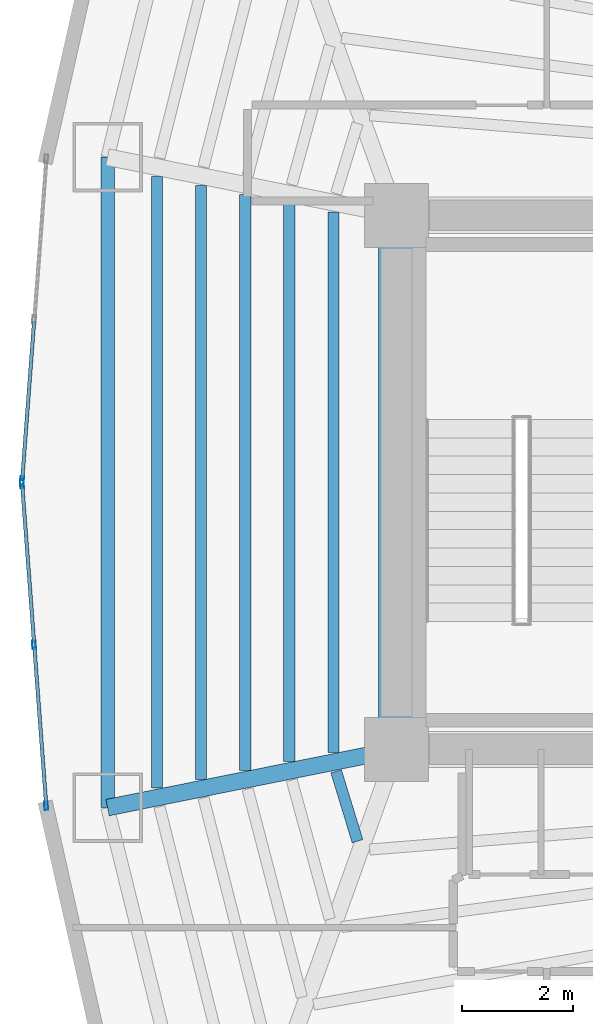
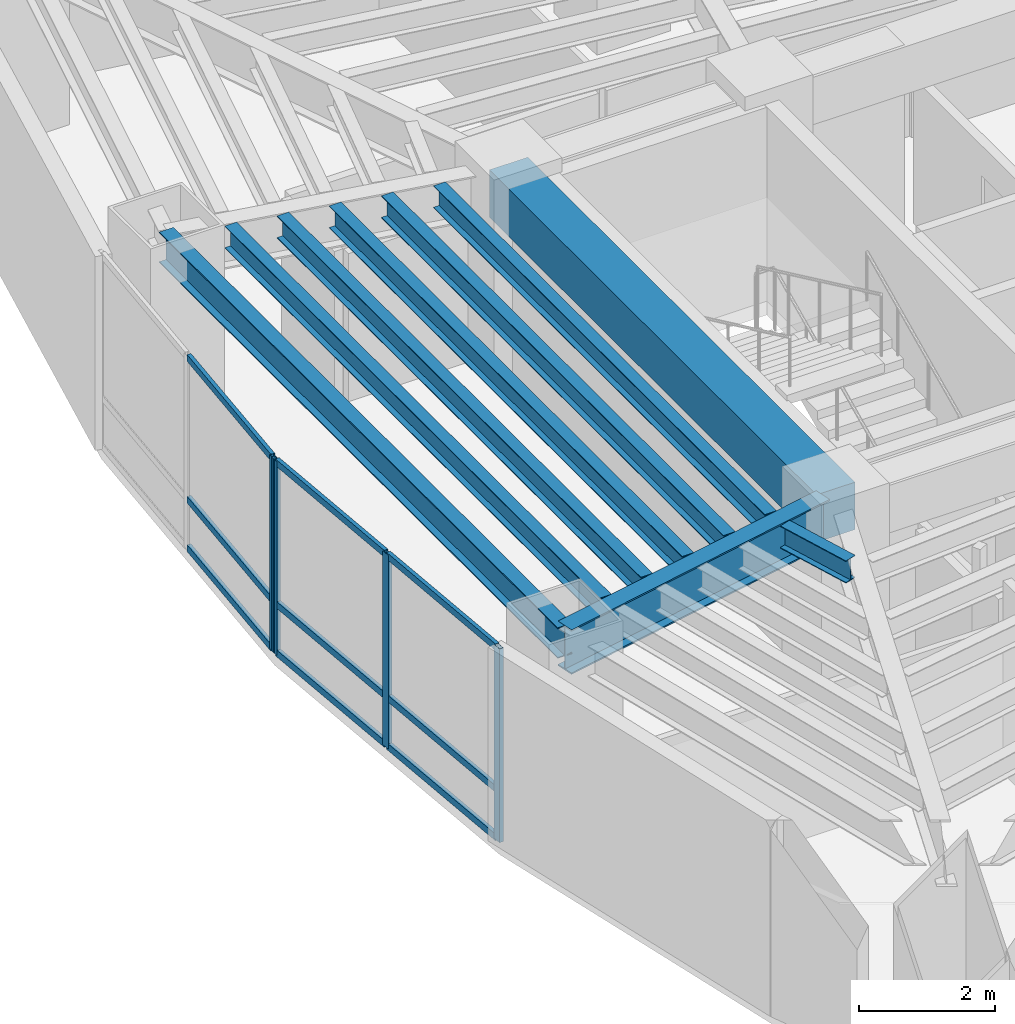
# One storey, part 3 of 18: 13 members, 9 beams, 2 elements without a shape of their own.
"""IFC4 building model written with IfcOpenShell, lengths in metres."""

from ifc_helpers import new_model, si_unit, direction, frame, origin, origin_2d, place, context, subcontext, project, spatial, rectangle, hollow_rectangle, i_section, extrude, material, layer, layer_set, material_profile, profile_set, type_object, element, aggregate, save


model = new_model("IFC4")

# Units and contexts
model_context = context("Model", 3, precision=1e-05, world=origin(), true_north=direction((0.0, 1.0)))
body_context = subcontext(model_context, "Body", "Model", "MODEL_VIEW")
ifc_project = project(units=[si_unit("LENGTHUNIT", "METRE"), si_unit("AREAUNIT", "SQUARE_METRE"), si_unit("VOLUMEUNIT", "CUBIC_METRE"), si_unit("PLANEANGLEUNIT", "RADIAN"), si_unit("MASSUNIT", "GRAM", prefix="KILO")], contexts=[model_context])

# Site, building, storey
site_placement = place(None, origin())
site = spatial("IfcSite", under=ifc_project, at=site_placement, CompositionType="ELEMENT")
building_placement = place(site_placement, origin())
building = spatial("IfcBuilding", under=site, at=building_placement, Name="Menara Vayukalpa", CompositionType="ELEMENT")
storey_placement = place(building_placement, frame((0.0, 0.0, 130.02001953125)))
storey = spatial("IfcBuildingStorey", under=building, at=storey_placement, Name="L32", CompositionType="ELEMENT", Elevation=130.02001953125)

# Beams
ifc_material_1 = material(Name="Concrete C60/75", Category="concrete")
ifc_material_profile_1 = material_profile(ifc_material_1, rectangle(XDim=0.64990234375, YDim=0.85009765625, at=origin_2d()), Name="RC 650x850")
ifc_profile_set_1 = profile_set([ifc_material_profile_1], Name="Concrete C60/75")
beam_type_1 = type_object("IfcBeamType", Name="BM-CB1", PredefinedType="BEAM", material=ifc_profile_set_1)
beam_1_placement = place(storey_placement, frame((17.800048828125, 17.199951171875, 3.044921875), z_axis=(0.0, 1.0, 0.0), x_axis=(-1.0, 0.0, 0.0)))
element("IfcBeam", 1, at=beam_1_placement, inside=storey, type_object=beam_type_1, Name="L32 Core Tie Beam CBR7", PredefinedType="BEAM", context=body_context, shape_type="SweptSolid", body=[
    extrude(rectangle(XDim=0.64990234375, YDim=0.85009765625, at=origin_2d()), origin(), (0.0, 0.0, 1.0), 9.60009765625),
])
ifc_material_2 = material(Name="Steel S355", Category="steel")
ifc_material_profile_2 = material_profile(ifc_material_2, i_section(OverallWidth=0.300048828125, OverallDepth=0.800048828125, WebThickness=0.013916015625, FlangeThickness=0.02587890625, at=origin_2d()), Name="WF 800x300x14x26")
ifc_profile_set_2 = profile_set([ifc_material_profile_2], Name="Steel S355")
beam_type_2 = type_object("IfcBeamType", Name="BM-PG3", PredefinedType="BEAM", material=ifc_profile_set_2)
beam_2_placement = place(storey_placement, frame((17.554931640625, 17.150634765625, 3.070068359375), z_axis=(-0.980324984906, -0.197390283373, 0.0), x_axis=(0.197390283373, -0.980324984906, 0.0)))
element("IfcBeam", 2, at=beam_2_placement, inside=storey, type_object=beam_type_2, Name="L32 Primary Radial Girder RG06", PredefinedType="BEAM", context=body_context, shape_type="SweptSolid", body=[
    extrude(i_section(OverallWidth=0.300048828125, OverallDepth=0.800048828125, WebThickness=0.013916015625, FlangeThickness=0.02587890625, at=origin_2d()), origin(), (0.0, 0.0, 1.0), 5.047607421875),
])
ifc_material_3 = material(Name="Steel S355", Category="steel")
ifc_material_profile_3 = material_profile(ifc_material_3, i_section(OverallWidth=0.199951171875, OverallDepth=0.39990234375, WebThickness=0.008056640625, FlangeThickness=0.012939453125, at=origin_2d()), Name="WF 400x200x8x13")
ifc_profile_set_3 = profile_set([ifc_material_profile_3], Name="Steel S355")
beam_type_3 = type_object("IfcBeamType", Name="BM-SJ2", PredefinedType="JOIST", material=ifc_profile_set_3)
beam_3_placement = place(storey_placement, frame((16.664306640625, 26.858642578125, 3.27001953125), z_axis=(0.0, -1.0, 0.0), x_axis=(1.0, 0.0, 0.0)))
element("IfcBeam", 3, at=beam_3_placement, inside=storey, type_object=beam_type_3, Name="L32 Secondary Floor Joist SJ05-1", PredefinedType="JOIST", context=body_context, shape_type="SweptSolid", body=[
    extrude(i_section(OverallWidth=0.199951171875, OverallDepth=0.39990234375, WebThickness=0.008056640625, FlangeThickness=0.012939453125, at=origin_2d()), origin(), (0.0, 0.0, 1.0), 9.71728515625),
])
beam_4_placement = place(storey_placement, frame((15.87255859375, 27.01806640625, 3.27001953125), z_axis=(0.0, -1.0, 0.0), x_axis=(1.0, 0.0, 0.0)))
element("IfcBeam", 4, at=beam_4_placement, inside=storey, type_object=beam_type_3, Name="L32 Secondary Floor Joist SJ05-2", PredefinedType="JOIST", context=body_context, shape_type="SweptSolid", body=[
    extrude(i_section(OverallWidth=0.199951171875, OverallDepth=0.39990234375, WebThickness=0.008056640625, FlangeThickness=0.012939453125, at=origin_2d()), origin(), (0.0, 0.0, 1.0), 10.0361328125),
])
beam_5_placement = place(storey_placement, frame((15.080810546875, 27.177490234375, 3.27001953125), z_axis=(0.0, -1.0, 0.0), x_axis=(1.0, 0.0, 0.0)))
element("IfcBeam", 5, at=beam_5_placement, inside=storey, type_object=beam_type_3, Name="L32 Secondary Floor Joist SJ05-3", PredefinedType="JOIST", context=body_context, shape_type="SweptSolid", body=[
    extrude(i_section(OverallWidth=0.199951171875, OverallDepth=0.39990234375, WebThickness=0.008056640625, FlangeThickness=0.012939453125, at=origin_2d()), origin(), (0.0, 0.0, 1.0), 10.35498046875),
])
beam_6_placement = place(storey_placement, frame((14.2890625, 27.3369140625, 3.27001953125), z_axis=(0.0, -1.0, 0.0), x_axis=(1.0, 0.0, 0.0)))
element("IfcBeam", 6, at=beam_6_placement, inside=storey, type_object=beam_type_3, Name="L32 Secondary Floor Joist SJ05-4", PredefinedType="JOIST", context=body_context, shape_type="SweptSolid", body=[
    extrude(i_section(OverallWidth=0.199951171875, OverallDepth=0.39990234375, WebThickness=0.008056640625, FlangeThickness=0.012939453125, at=origin_2d()), origin(), (0.0, 0.0, 1.0), 10.673828125),
])
beam_7_placement = place(storey_placement, frame((13.497314453125, 27.496337890625, 3.27001953125), z_axis=(0.0, -1.0, 0.0), x_axis=(1.0, 0.0, 0.0)))
element("IfcBeam", 7, at=beam_7_placement, inside=storey, type_object=beam_type_3, Name="L32 Secondary Floor Joist SJ05-5", PredefinedType="JOIST", context=body_context, shape_type="SweptSolid", body=[
    extrude(i_section(OverallWidth=0.199951171875, OverallDepth=0.39990234375, WebThickness=0.008056640625, FlangeThickness=0.012939453125, at=origin_2d()), origin(), (0.0, 0.0, 1.0), 10.99267578125),
])
beam_8_placement = place(storey_placement, frame((16.714111328125, 16.808837890625, 3.27001953125), z_axis=(0.292651981473, -0.956219021846, 0.0), x_axis=(0.956219021846, 0.292651981473, 0.0)))
element("IfcBeam", 8, at=beam_8_placement, inside=storey, type_object=beam_type_3, Name="L32 Secondary Floor Joist SJ06-1", PredefinedType="JOIST", context=body_context, shape_type="SweptSolid", body=[
    extrude(i_section(OverallWidth=0.199951171875, OverallDepth=0.39990234375, WebThickness=0.008056640625, FlangeThickness=0.012939453125, at=origin_2d()), origin(), (0.0, 0.0, 1.0), 1.31640625),
])
ifc_material_4 = material(Name="Steel S355", Category="steel")
ifc_material_profile_4 = material_profile(ifc_material_4, i_section(OverallWidth=0.239990234375, OverallDepth=0.550048828125, WebThickness=0.010986328125, FlangeThickness=0.01904296875, at=origin_2d()), Name="WF 550x240x11x19")
ifc_profile_set_4 = profile_set([ifc_material_profile_4], Name="Steel S355")
beam_type_4 = type_object("IfcBeamType", Name="BM-SP2", PredefinedType="SPANDREL", material=ifc_profile_set_4)
beam_9_placement = place(storey_placement, frame((12.606689453125, 27.845703125, 3.195068359375), z_axis=(0.0, -1.0, 0.0), x_axis=(1.0, 0.0, 0.0)))
element("IfcBeam", 9, at=beam_9_placement, inside=storey, type_object=beam_type_4, Name="L32 Perimeter Spandrel Beam SP05", PredefinedType="SPANDREL", context=body_context, shape_type="SweptSolid", body=[
    extrude(i_section(OverallWidth=0.239990234375, OverallDepth=0.550048828125, WebThickness=0.010986328125, FlangeThickness=0.01904296875, at=origin_2d()), origin(), (0.0, 0.0, 1.0), 11.69140625),
])

# Curtain wall, member
ifc_material_5 = material(Name="Anodised Terracotta Aluminium Alloy 6063-T6", Category="masonry")
ifc_layer = layer(ifc_material_5, 0.14990234375)
ifc_layer_set = layer_set([ifc_layer], Name="Anodised Terracotta Aluminium Alloy 6063-T6")
curtain_wall_type = type_object("IfcCurtainWallType", Name="CW-CW3", PredefinedType="USERDEFINED", material=ifc_layer_set)
curtain_wall_1_placement = place(storey_placement, origin())
curtain_wall_1 = element("IfcCurtainWall", 10, at=curtain_wall_1_placement, inside=storey, type_object=curtain_wall_type, Name="L32 Mid Rise Terracotta Ribbon Curtain Wall CW3 10", ObjectType="UNITISED", PredefinedType="USERDEFINED")
ifc_material_6 = material(Name="Anodised Terracotta Aluminium Alloy 6063-T6", Category="masonry")
ifc_material_profile_5 = material_profile(ifc_material_6, hollow_rectangle(XDim=0.06494140625, YDim=0.14990234375, WallThickness=0.00341796875, at=origin_2d()), Name="ALU 65x150x3.5")
ifc_profile_set_5 = profile_set([ifc_material_profile_5], Name="Anodised Terracotta Aluminium Alloy 6063-T6")
member_type_1 = type_object("IfcMemberType", Name="CWM-CW3", PredefinedType="MULLION", material=ifc_profile_set_5)
member_1_placement = place(storey_placement, frame((11.070556640625, 22.032470703125, 0.0), z_axis=(0.0, 0.0, 1.0), x_axis=(0.997199659745, -0.07478528334, 0.0)))
member_1 = element("IfcMember", 11, at=member_1_placement, type_object=member_type_1, Name="CW3 mullion 3", PredefinedType="MULLION", context=body_context, shape_type="SweptSolid", body=[
    extrude(hollow_rectangle(XDim=0.06494140625, YDim=0.14990234375, WallThickness=0.00341796875, at=origin_2d()), origin(), (0.0, 0.0, 1.0), 3.469970703125),
])

# Curtain wall, members
curtain_wall_2_placement = place(storey_placement, origin())
curtain_wall_2 = element("IfcCurtainWall", 12, at=curtain_wall_2_placement, inside=storey, type_object=curtain_wall_type, Name="L32 Mid Rise Terracotta Ribbon Curtain Wall CW3 11", ObjectType="UNITISED", PredefinedType="USERDEFINED")
member_2_placement = place(storey_placement, frame((11.070556640625, 21.967529296875, 0.0), z_axis=(0.0, 0.0, 1.0), x_axis=(0.997199659745, 0.07478528334, 0.0)))
member_2 = element("IfcMember", 13, at=member_2_placement, type_object=member_type_1, Name="CW3 mullion 1", PredefinedType="MULLION", context=body_context, shape_type="SweptSolid", body=[
    extrude(hollow_rectangle(XDim=0.06494140625, YDim=0.14990234375, WallThickness=0.00341796875, at=origin_2d()), origin(), (0.0, 0.0, 1.0), 3.469970703125),
])
member_3_placement = place(storey_placement, frame((11.287353515625, 19.0771484375, 0.0), z_axis=(0.0, 0.0, 1.0), x_axis=(0.997199659745, 0.07478528334, 0.0)))
member_3 = element("IfcMember", 14, at=member_3_placement, type_object=member_type_1, Name="CW3 mullion 2", PredefinedType="MULLION", context=body_context, shape_type="SweptSolid", body=[
    extrude(hollow_rectangle(XDim=0.06494140625, YDim=0.14990234375, WallThickness=0.00341796875, at=origin_2d()), origin(), (0.0, 0.0, 1.0), 3.469970703125),
])
member_4_placement = place(storey_placement, frame((11.504150390625, 16.186767578125, 0.0), z_axis=(0.0, 0.0, 1.0), x_axis=(0.997199659745, 0.07478528334, 0.0)))
member_4 = element("IfcMember", 15, at=member_4_placement, type_object=member_type_1, Name="CW3 mullion 3", PredefinedType="MULLION", context=body_context, shape_type="SweptSolid", body=[
    extrude(hollow_rectangle(XDim=0.06494140625, YDim=0.14990234375, WallThickness=0.00341796875, at=origin_2d()), origin(), (0.0, 0.0, 1.0), 3.469970703125),
])

# Member
ifc_material_7 = material(Name="Anodised Terracotta Aluminium Alloy 6063-T6", Category="masonry")
ifc_material_profile_6 = material_profile(ifc_material_7, hollow_rectangle(XDim=0.06494140625, YDim=0.1201171875, WallThickness=0.00341796875, at=origin_2d()), Name="ALU 65x120x3.5")
ifc_profile_set_6 = profile_set([ifc_material_profile_6], Name="Anodised Terracotta Aluminium Alloy 6063-T6")
member_type_2 = type_object("IfcMemberType", Name="CWT-CW3", PredefinedType="USERDEFINED", material=ifc_profile_set_6)
member_5_placement = place(storey_placement, frame((11.284912109375, 24.890380859375, 0.032470703125), z_axis=(-0.074785664408, -0.997199631167, 0.0), x_axis=(0.997199631167, -0.074785664408, 0.0)))
member_5 = element("IfcMember", 16, at=member_5_placement, type_object=member_type_2, Name="CW3 transom 2.1", ObjectType="TRANSOM", PredefinedType="USERDEFINED", context=body_context, shape_type="SweptSolid", body=[
    extrude(hollow_rectangle(XDim=0.06494140625, YDim=0.1201171875, WallThickness=0.00341796875, at=origin_2d()), origin(), (0.0, 0.0, 1.0), 2.833740234375),
])

member_6_placement = place(storey_placement, frame((11.284912109375, 24.890380859375, 0.89990234375), z_axis=(-0.074785664408, -0.997199631167, 0.0), x_axis=(0.997199631167, -0.074785664408, 0.0)))
member_6 = element("IfcMember", 17, at=member_6_placement, type_object=member_type_2, Name="CW3 transom 2.2", ObjectType="TRANSOM", PredefinedType="USERDEFINED", context=body_context, shape_type="SweptSolid", body=[
    extrude(hollow_rectangle(XDim=0.06494140625, YDim=0.1201171875, WallThickness=0.00341796875, at=origin_2d()), origin(), (0.0, 0.0, 1.0), 2.833740234375),
])

member_7_placement = place(storey_placement, frame((11.284912109375, 24.890380859375, 3.4375), z_axis=(-0.074785664408, -0.997199631167, 0.0), x_axis=(0.997199631167, -0.074785664408, 0.0)))
member_7 = element("IfcMember", 18, at=member_7_placement, type_object=member_type_2, Name="CW3 transom 2.3", ObjectType="TRANSOM", PredefinedType="USERDEFINED", context=body_context, shape_type="SweptSolid", body=[
    extrude(hollow_rectangle(XDim=0.06494140625, YDim=0.1201171875, WallThickness=0.00341796875, at=origin_2d()), origin(), (0.0, 0.0, 1.0), 2.833740234375),
])

aggregate(curtain_wall_1, [member_1, member_5, member_6, member_7])

member_8_placement = place(storey_placement, frame((11.072998046875, 21.935302734375, 0.032470703125), z_axis=(0.074785664408, -0.997199631167, 0.0), x_axis=(0.997199631167, 0.074785664408, 0.0)))
member_8 = element("IfcMember", 19, at=member_8_placement, type_object=member_type_2, Name="CW3 transom 1.1", ObjectType="TRANSOM", PredefinedType="USERDEFINED", context=body_context, shape_type="SweptSolid", body=[
    extrude(hollow_rectangle(XDim=0.06494140625, YDim=0.1201171875, WallThickness=0.00341796875, at=origin_2d()), origin(), (0.0, 0.0, 1.0), 2.833740234375),
])

member_9_placement = place(storey_placement, frame((11.072998046875, 21.935302734375, 0.89990234375), z_axis=(0.074785664408, -0.997199631167, 0.0), x_axis=(0.997199631167, 0.074785664408, 0.0)))
member_9 = element("IfcMember", 20, at=member_9_placement, type_object=member_type_2, Name="CW3 transom 1.2", ObjectType="TRANSOM", PredefinedType="USERDEFINED", context=body_context, shape_type="SweptSolid", body=[
    extrude(hollow_rectangle(XDim=0.06494140625, YDim=0.1201171875, WallThickness=0.00341796875, at=origin_2d()), origin(), (0.0, 0.0, 1.0), 2.833740234375),
])

member_10_placement = place(storey_placement, frame((11.072998046875, 21.935302734375, 3.4375), z_axis=(0.074785664408, -0.997199631167, 0.0), x_axis=(0.997199631167, 0.074785664408, 0.0)))
member_10 = element("IfcMember", 21, at=member_10_placement, type_object=member_type_2, Name="CW3 transom 1.3", ObjectType="TRANSOM", PredefinedType="USERDEFINED", context=body_context, shape_type="SweptSolid", body=[
    extrude(hollow_rectangle(XDim=0.06494140625, YDim=0.1201171875, WallThickness=0.00341796875, at=origin_2d()), origin(), (0.0, 0.0, 1.0), 2.833740234375),
])

member_11_placement = place(storey_placement, frame((11.289794921875, 19.044677734375, 0.032470703125), z_axis=(0.074792090342, -0.997199149229, 0.0), x_axis=(0.997199149229, 0.074792090342, 0.0)))
member_11 = element("IfcMember", 22, at=member_11_placement, type_object=member_type_2, Name="CW3 transom 2.1", ObjectType="TRANSOM", PredefinedType="USERDEFINED", context=body_context, shape_type="SweptSolid", body=[
    extrude(hollow_rectangle(XDim=0.06494140625, YDim=0.1201171875, WallThickness=0.00341796875, at=origin_2d()), origin(), (0.0, 0.0, 1.0), 2.83349609375),
])

member_12_placement = place(storey_placement, frame((11.289794921875, 19.044677734375, 0.89990234375), z_axis=(0.074792090342, -0.997199149229, 0.0), x_axis=(0.997199149229, 0.074792090342, 0.0)))
member_12 = element("IfcMember", 23, at=member_12_placement, type_object=member_type_2, Name="CW3 transom 2.2", ObjectType="TRANSOM", PredefinedType="USERDEFINED", context=body_context, shape_type="SweptSolid", body=[
    extrude(hollow_rectangle(XDim=0.06494140625, YDim=0.1201171875, WallThickness=0.00341796875, at=origin_2d()), origin(), (0.0, 0.0, 1.0), 2.83349609375),
])

member_13_placement = place(storey_placement, frame((11.289794921875, 19.044677734375, 3.4375), z_axis=(0.074792090342, -0.997199149229, 0.0), x_axis=(0.997199149229, 0.074792090342, 0.0)))
member_13 = element("IfcMember", 24, at=member_13_placement, type_object=member_type_2, Name="CW3 transom 2.3", ObjectType="TRANSOM", PredefinedType="USERDEFINED", context=body_context, shape_type="SweptSolid", body=[
    extrude(hollow_rectangle(XDim=0.06494140625, YDim=0.1201171875, WallThickness=0.00341796875, at=origin_2d()), origin(), (0.0, 0.0, 1.0), 2.83349609375),
])

aggregate(curtain_wall_2, [member_2, member_3, member_4, member_8, member_9, member_10, member_11, member_12, member_13])

save(model, "model.ifc")
